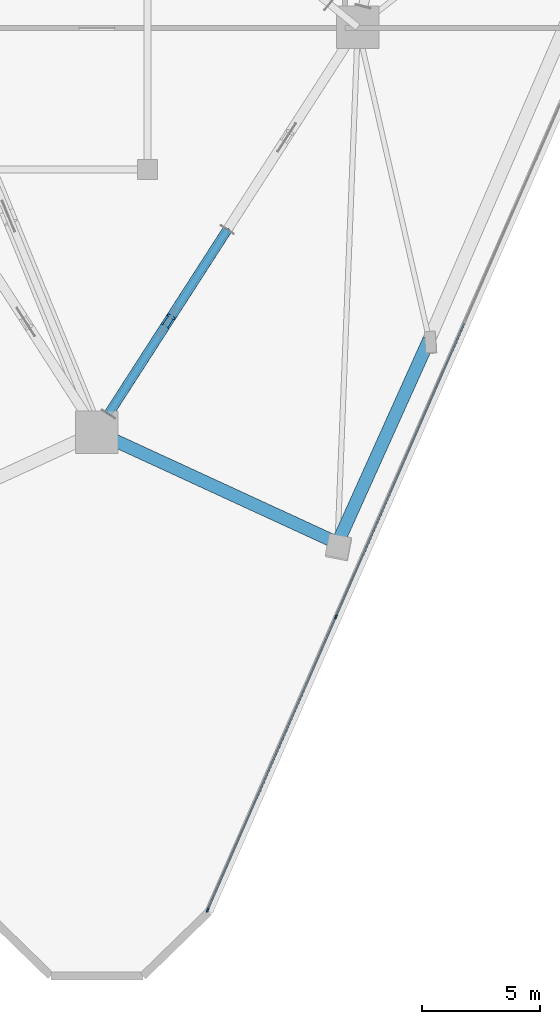
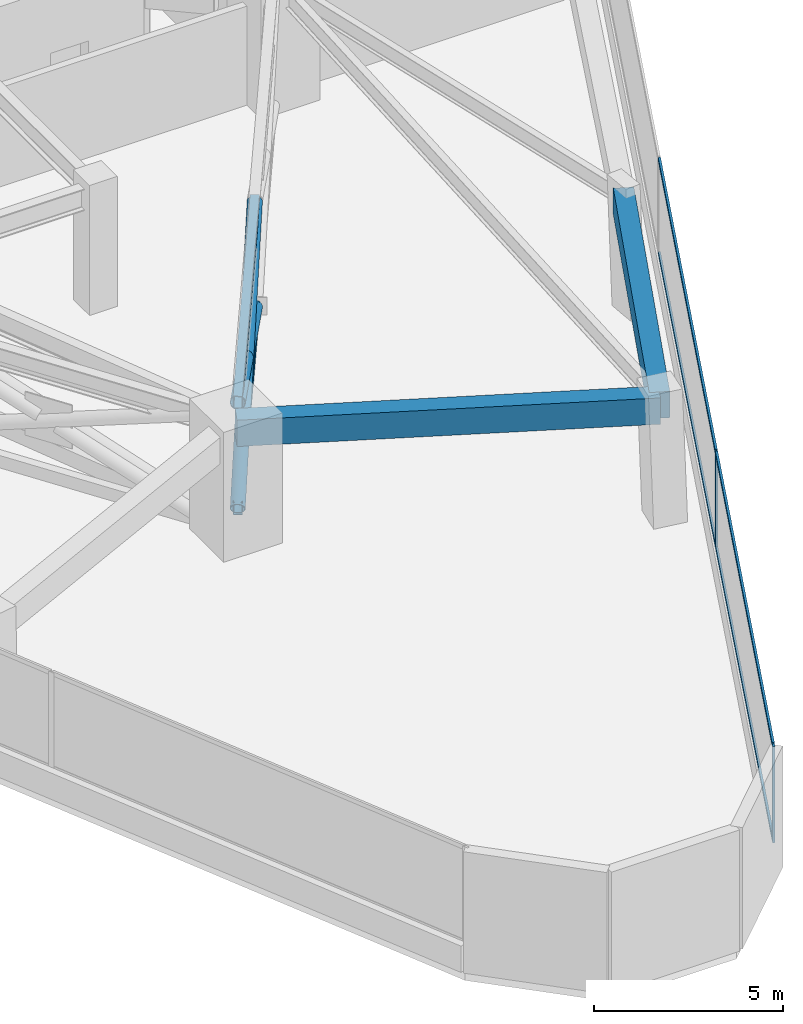
# One storey, part 4 of 20: 11 members, 2 beams, 1 element without a shape of its own.
"""IFC4 building model written with IfcOpenShell, lengths in metres."""

from ifc_helpers import new_model, si_unit, direction, frame, origin, origin_2d, place, context, subcontext, project, spatial, rectangle, hollow_rectangle, hollow_circle, extrude, material, layer, layer_set, material_profile, profile_set, type_object, element, aggregate, save


model = new_model("IFC4")

# Units and contexts
model_context = context("Model", 3, precision=1e-05, world=origin(), true_north=direction((0.0, 1.0)))
body_context = subcontext(model_context, "Body", "Model", "MODEL_VIEW")
ifc_project = project(units=[si_unit("LENGTHUNIT", "METRE"), si_unit("AREAUNIT", "SQUARE_METRE"), si_unit("VOLUMEUNIT", "CUBIC_METRE"), si_unit("PLANEANGLEUNIT", "RADIAN"), si_unit("MASSUNIT", "GRAM", prefix="KILO")], contexts=[model_context])

# Site, building, storey
site_placement = place(None, origin())
site = spatial("IfcSite", under=ifc_project, at=site_placement, CompositionType="ELEMENT")
building_placement = place(site_placement, origin())
building = spatial("IfcBuilding", under=site, at=building_placement, Name="Talyreon Biosciences Tower", CompositionType="ELEMENT")
storey_placement = place(building_placement, frame((0.0, 0.0, 70.800048828125)))
storey = spatial("IfcBuildingStorey", under=building, at=storey_placement, Name="L18", CompositionType="ELEMENT", Elevation=70.800048828125)

# Members
ifc_material_1 = material(Name="Steel SM355", Category="steel")
ifc_material_profile_1 = material_profile(ifc_material_1, hollow_circle(Radius=0.203125, WallThickness=0.01611328125, at=origin_2d()), Name="CHS 406.4x16")
ifc_profile_set_1 = profile_set([ifc_material_profile_1], Name="Steel SM355")
member_type_1 = type_object("IfcMemberType", Name="BeltBrace_CHS406", PredefinedType="BRACE", material=ifc_profile_set_1)
member_1_placement = place(storey_placement, frame((66.49267578125, 42.431884765625, 0.239990234375), z_axis=(0.508108159557, 0.788922225793, 0.345583303764), x_axis=(-0.840720642586, 0.541469113735, 0.0)))
element("IfcMember", 1, at=member_1_placement, inside=storey, type_object=member_type_1, Name="L18 Continuous Diagonal BELT-L18-B1S1A", PredefinedType="BRACE", context=body_context, shape_type="SweptSolid", body=[
    extrude(hollow_circle(Radius=0.203125, WallThickness=0.01611328125, at=origin_2d()), origin(), (0.0, 0.0, 1.0), 9.93994140625),
])
for number, where, z_axis, x_axis, name in (
    (2, (71.543212890625, 50.273681640625, 0.239990234375), (-0.508127593263, -0.788922618165, 0.345553833017), (0.840711337618, -0.541483560969, 0.0), "L18 Split Diagonal BELT-L18-B1S1B-Lower"),
    (3, (68.87548828125, 46.132080078125, 2.05419921875), (-0.508058968883, -0.788948947991, 0.34559462033), (0.840752853328, -0.541419097947, 0.0), "L18 Split Diagonal BELT-L18-B1S1B-Upper"),
):
    element("IfcMember", number, at=place(storey_placement, frame(where, z_axis=z_axis, x_axis=x_axis)), inside=storey, type_object=member_type_1, Name=name, PredefinedType="BRACE", context=body_context, shape_type="SweptSolid", body=[
        extrude(hollow_circle(Radius=0.203125, WallThickness=0.01611328125, at=origin_2d()), origin(), (0.0, 0.0, 1.0), 4.68994140625),
    ])
ifc_material_profile_2 = material_profile(ifc_material_1, hollow_rectangle(XDim=0.25, YDim=0.39990234375, WallThickness=0.01611328125, at=origin_2d()), Name="RHS 400x250x16")
ifc_profile_set_2 = profile_set([ifc_material_profile_2], Name="Steel SM355")
member_type_2 = type_object("IfcMemberType", Name="BeltChord_RHS400x250", PredefinedType="CHORD", material=ifc_profile_set_2)
for number, where, z_axis, x_axis, name in (
    (4, (66.49267578125, 42.431884765625, 0.239990234375), (0.541469113735, 0.840720642586, 0.0), (-0.840720642586, 0.541469113735, 0.0), "L18 Truss Bottom Chord BELT-L18-B1S1"),
    (5, (66.49267578125, 42.431884765625, 3.675048828125), (0.541469113735, 0.840720642586, 0.0), (-0.840720642586, 0.541469113735, 0.0), "L18 Truss Top Chord BELT-L18-B1S1"),
):
    element("IfcMember", number, at=place(storey_placement, frame(where, z_axis=z_axis, x_axis=x_axis)), inside=storey, type_object=member_type_2, Name=name, PredefinedType="CHORD", context=body_context, shape_type="SweptSolid", body=[
        extrude(hollow_rectangle(XDim=0.25, YDim=0.39990234375, WallThickness=0.01611328125, at=origin_2d()), origin(), (0.0, 0.0, 1.0), 9.327392578125),
    ])

# Curtain wall, members
ifc_material_2 = material(Name="Thermally broken aluminium and low-E glazing", Category="aluminium")
ifc_layer = layer(ifc_material_2, 0.195068359375)
ifc_layer_set = layer_set([ifc_layer], Name="Thermally broken aluminium and low-E glazing")
curtain_wall_type = type_object("IfcCurtainWallType", Name="CurtainWall_Zone1WetLab", PredefinedType="NOTDEFINED", material=ifc_layer_set)
curtain_wall_placement = place(storey_placement, origin())
curtain_wall = element("IfcCurtainWall", 6, at=curtain_wall_placement, inside=storey, type_object=curtain_wall_type, Name="L18 Unitised Curtain Wall FCW-L18-08", PredefinedType="NOTDEFINED")
ifc_material_3 = material(Name="Anodised thermally broken aluminium", Category="aluminium")
ifc_material_profile_3 = material_profile(ifc_material_3, rectangle(XDim=0.06494140625, YDim=0.179931640625, at=origin_2d()), Name="ALUM MULLION 65x180")
ifc_profile_set_3 = profile_set([ifc_material_profile_3], Name="Anodised thermally broken aluminium")
member_type_3 = type_object("IfcMemberType", Name="CWMullion_65x180", PredefinedType="MULLION", material=ifc_profile_set_3)
member_2_placement = place(storey_placement, frame((76.16064453125, 33.8251953125, 0.81005859375), z_axis=(0.0, 0.0, 1.0), x_axis=(0.916151953082, -0.400831135099, 0.0)))
member_2 = element("IfcMember", 7, at=member_2_placement, type_object=member_type_3, Name="CW2 mullion 5", PredefinedType="MULLION", context=body_context, shape_type="SweptSolid", body=[
    extrude(rectangle(XDim=0.06494140625, YDim=0.179931640625, at=origin_2d()), origin(), (0.0, 0.0, 1.0), 3.114990234375),
])
member_3_placement = place(storey_placement, frame((70.70361328125, 21.3525390625, 0.81005859375), z_axis=(0.0, 0.0, 1.0), x_axis=(0.916151953082, -0.400831135099, 0.0)))
member_3 = element("IfcMember", 8, at=member_3_placement, type_object=member_type_3, Name="CW2 mullion 6", PredefinedType="MULLION", context=body_context, shape_type="SweptSolid", body=[
    extrude(rectangle(XDim=0.06494140625, YDim=0.179931640625, at=origin_2d()), origin(), (0.0, 0.0, 1.0), 3.114990234375),
])
ifc_material_profile_4 = material_profile(ifc_material_3, rectangle(XDim=0.06494140625, YDim=0.139892578125, at=origin_2d()), Name="ALUM TRANSOM 65x140")
ifc_profile_set_4 = profile_set([ifc_material_profile_4], Name="Anodised thermally broken aluminium")
member_type_4 = type_object("IfcMemberType", Name="CWTransom_65x140", PredefinedType="USERDEFINED", material=ifc_profile_set_4)
member_4_placement = place(storey_placement, frame((81.61767578125, 46.2978515625, 0.842529296875), z_axis=(-0.40082449197, -0.916154859528, 0.0), x_axis=(0.916154859528, -0.40082449197, 0.0)))
member_4 = element("IfcMember", 9, at=member_4_placement, type_object=member_type_4, Name="CW2 transom 4.1", ObjectType="TRANSOM", PredefinedType="USERDEFINED", context=body_context, shape_type="SweptSolid", body=[
    extrude(rectangle(XDim=0.06494140625, YDim=0.139892578125, at=origin_2d()), origin(), (0.0, 0.0, 1.0), 13.58154296875),
])
member_5_placement = place(storey_placement, frame((81.61767578125, 46.2978515625, 3.892333984375), z_axis=(-0.40082449197, -0.916154859528, 0.0), x_axis=(0.916154859528, -0.40082449197, 0.0)))
member_5 = element("IfcMember", 10, at=member_5_placement, type_object=member_type_4, Name="CW2 transom 4.2", ObjectType="TRANSOM", PredefinedType="USERDEFINED", context=body_context, shape_type="SweptSolid", body=[
    extrude(rectangle(XDim=0.06494140625, YDim=0.139892578125, at=origin_2d()), origin(), (0.0, 0.0, 1.0), 13.58154296875),
])
member_6_placement = place(storey_placement, frame((76.147705078125, 33.79541015625, 0.842529296875), z_axis=(-0.400830177027, -0.916152372253, 0.0), x_axis=(0.916152372253, -0.400830177027, 0.0)))
member_6 = element("IfcMember", 11, at=member_6_placement, type_object=member_type_4, Name="CW2 transom 5.1", ObjectType="TRANSOM", PredefinedType="USERDEFINED", context=body_context, shape_type="SweptSolid", body=[
    extrude(rectangle(XDim=0.06494140625, YDim=0.139892578125, at=origin_2d()), origin(), (0.0, 0.0, 1.0), 13.549072265625),
])
member_7_placement = place(storey_placement, frame((76.147705078125, 33.79541015625, 3.892333984375), z_axis=(-0.400830177027, -0.916152372253, 0.0), x_axis=(0.916152372253, -0.400830177027, 0.0)))
member_7 = element("IfcMember", 12, at=member_7_placement, type_object=member_type_4, Name="CW2 transom 5.2", ObjectType="TRANSOM", PredefinedType="USERDEFINED", context=body_context, shape_type="SweptSolid", body=[
    extrude(rectangle(XDim=0.06494140625, YDim=0.139892578125, at=origin_2d()), origin(), (0.0, 0.0, 1.0), 13.549072265625),
])
aggregate(curtain_wall, [member_2, member_3, member_4, member_5, member_6, member_7])

# Beams
ifc_material_4 = material(Name="Precast concrete C45/55", Category="concrete")
ifc_material_profile_5 = material_profile(ifc_material_4, rectangle(XDim=0.550048828125, YDim=0.85009765625, at=origin_2d()), Name="RCB 550x850")
ifc_profile_set_5 = profile_set([ifc_material_profile_5], Name="Precast concrete C45/55")
beam_type = type_object("IfcBeamType", Name="ExpressedSpandrel_550x850", PredefinedType="SPANDREL", material=ifc_profile_set_5)
beam_1_placement = place(storey_placement, frame((66.0, 41.6669921875, 3.5), z_axis=(0.908214889998, -0.418504138075, 0.0), x_axis=(0.418504138075, 0.908214889998, 0.0)))
element("IfcBeam", 13, at=beam_1_placement, inside=storey, type_object=beam_type, Name="L18 Expressed Horizontal Concrete Spandrel 01", PredefinedType="SPANDREL", context=body_context, shape_type="SweptSolid", body=[
    extrude(rectangle(XDim=0.550048828125, YDim=0.85009765625, at=origin_2d()), origin(), (0.0, 0.0, 1.0), 11.262939453125),
])
beam_2_placement = place(storey_placement, frame((76.229248046875, 36.953369140625, 3.5), z_axis=(0.410428869088, 0.911892616167, 0.0), x_axis=(-0.911892616167, 0.410428869088, 0.0)))
element("IfcBeam", 14, at=beam_2_placement, inside=storey, type_object=beam_type, Name="L18 Expressed Horizontal Concrete Spandrel 02", PredefinedType="SPANDREL", context=body_context, shape_type="SweptSolid", body=[
    extrude(rectangle(XDim=0.550048828125, YDim=0.85009765625, at=origin_2d()), origin(), (0.0, 0.0, 1.0), 9.48828125),
])

save(model, "model.ifc")
